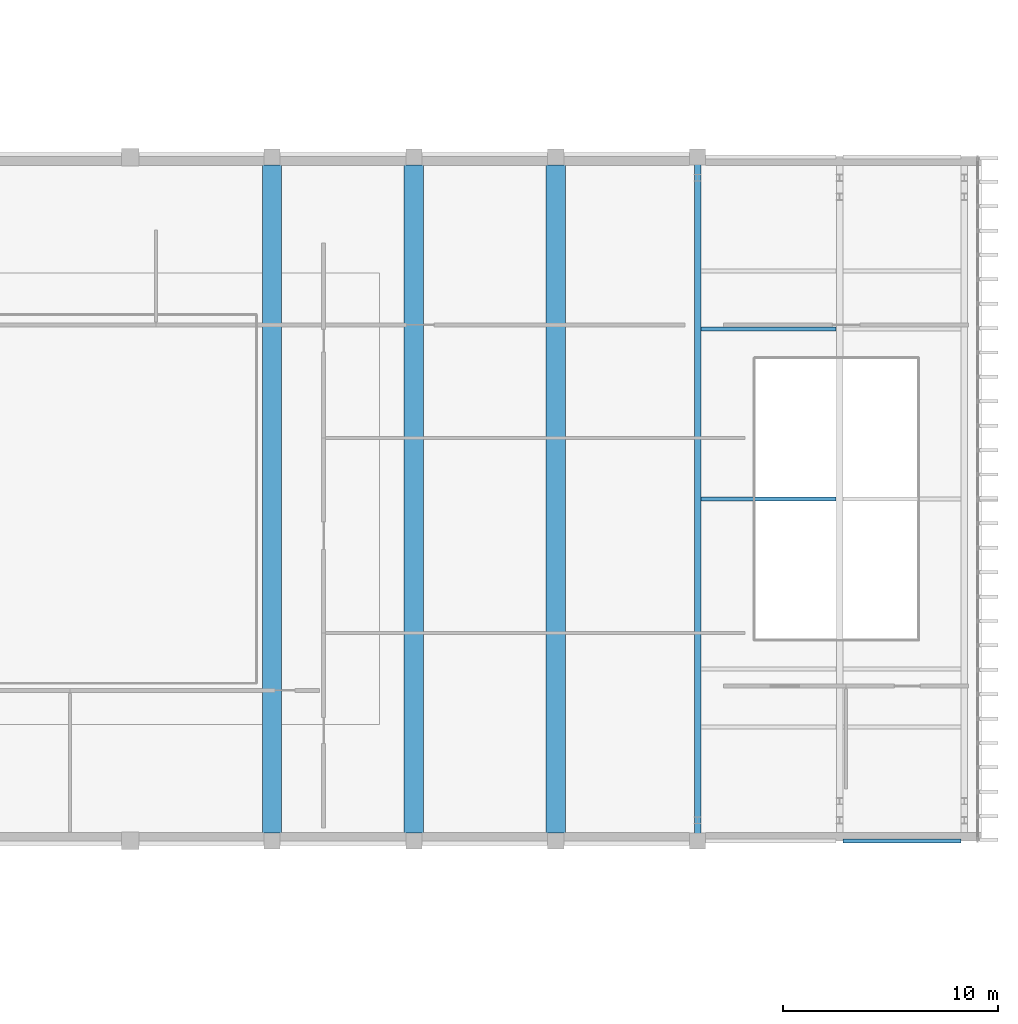
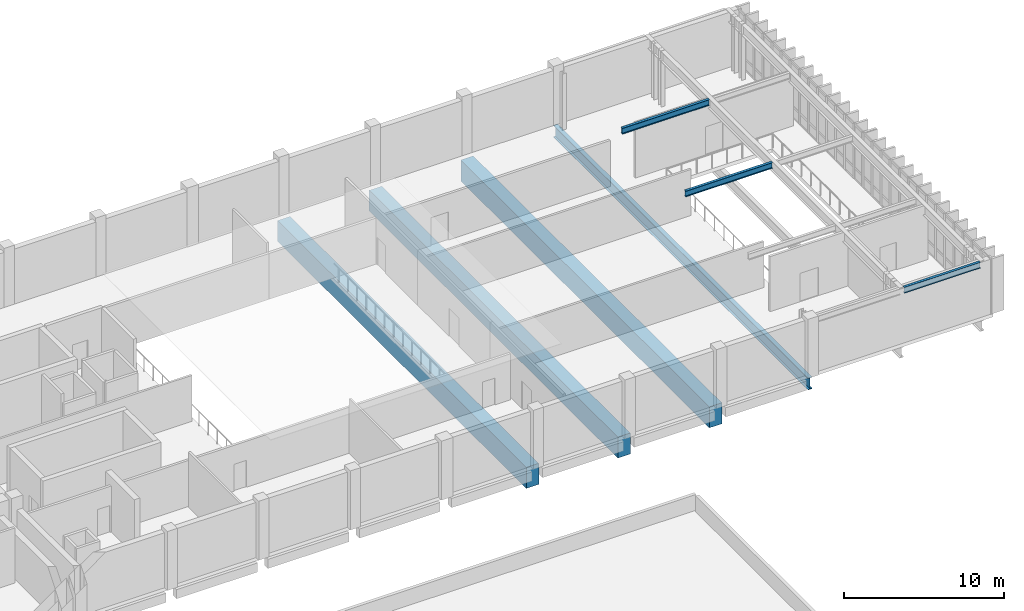
# One storey, part 4 of 23: 7 beams.
"""IFC4 building model written with IfcOpenShell, lengths in metres."""

from ifc_helpers import new_model, si_unit, direction, frame, origin, origin_2d, place, context, subcontext, project, spatial, rectangle, i_section, extrude, material, material_profile, profile_set, type_object, element, save


model = new_model("IFC4")

# Units and contexts
model_context = context("Model", 3, precision=1e-05, world=origin(), true_north=direction((0.0, 1.0)))
body_context = subcontext(model_context, "Body", "Model", "MODEL_VIEW")
ifc_project = project(units=[si_unit("LENGTHUNIT", "METRE"), si_unit("AREAUNIT", "SQUARE_METRE"), si_unit("VOLUMEUNIT", "CUBIC_METRE"), si_unit("PLANEANGLEUNIT", "RADIAN"), si_unit("MASSUNIT", "GRAM", prefix="KILO")], contexts=[model_context])

# Site, building, storey
site_placement = place(None, origin())
site = spatial("IfcSite", under=ifc_project, at=site_placement, CompositionType="ELEMENT")
building_placement = place(site_placement, origin())
building = spatial("IfcBuilding", under=site, at=building_placement, Name="Kelarvand Opera House", CompositionType="ELEMENT")
storey_placement = place(building_placement, frame((0.0, 0.0, 19.5)))
storey = spatial("IfcBuildingStorey", under=building, at=storey_placement, Name="L04", CompositionType="ELEMENT", Elevation=19.5)

# Beams
ifc_material_1 = material(Name="Steel S355", Category="steel")
ifc_material_profile_1 = material_profile(ifc_material_1, i_section(OverallWidth=0.300048828125, OverallDepth=0.89990234375, WebThickness=0.0185546875, FlangeThickness=0.034912109375, at=origin_2d()), Name="HEB 900", Category="steel")
ifc_profile_set_1 = profile_set([ifc_material_profile_1], Name="Steel S355")
beam_type_1 = type_object("IfcBeamType", Name="Structural Beam HEB 900 BM-HEB900", PredefinedType="BEAM", material=ifc_profile_set_1)
beam_1_placement = place(storey_placement, frame((141.800048828125, 46.60009765625, -0.72998046875), z_axis=(0.0, 1.0, 0.0), x_axis=(-1.0, 0.0, 0.0)))
element("IfcBeam", 1, at=beam_1_placement, inside=storey, type_object=beam_type_1, Name="Cantilever Transverse Girder L04 at X=141.8", PredefinedType="BEAM", context=body_context, shape_type="SweptSolid", body=[
    extrude(i_section(OverallWidth=0.300048828125, OverallDepth=0.89990234375, WebThickness=0.0185546875, FlangeThickness=0.034912109375, at=origin_2d()), origin(), (0.0, 0.0, 1.0), 31.7998046875),
])
ifc_material_2 = material(Name="Concrete C40/50", Category="concrete")
ifc_material_profile_2 = material_profile(ifc_material_2, rectangle(XDim=0.89990234375, YDim=1.60009765625, at=origin_2d()), Name="RC 900x1600", Category="concrete")
ifc_profile_set_2 = profile_set([ifc_material_profile_2], Name="Concrete C40/50")
beam_type_2 = type_object("IfcBeamType", Name="Structural Beam RC 900x1600 BM-RC900x1600", PredefinedType="BEAM", material=ifc_profile_set_2)
for number, where, z_axis, x_axis, name in (
    (2, (122.0, 46.97509765625, -1.080078125), (0.0, 1.0, 0.0), (-1.0, 0.0, 0.0), "V1 L04 Beam BM-RC900x1600"),
    (3, (128.60009765625, 46.97509765625, -1.080078125), (0.0, 1.0, 0.0), (-1.0, 0.0, 0.0), "V1 L04 Beam BM-RC900x1600"),
    (4, (135.199951171875, 46.97509765625, -1.080078125), (0.0, 1.0, 0.0), (-1.0, 0.0, 0.0), "V1 L04 Beam BM-RC900x1600"),
):
    element("IfcBeam", number, at=place(storey_placement, frame(where, z_axis=z_axis, x_axis=x_axis)), inside=storey, type_object=beam_type_2, Name=name, PredefinedType="BEAM", context=body_context, shape_type="SweptSolid", body=[
        extrude(rectangle(XDim=0.89990234375, YDim=1.60009765625, at=origin_2d()), origin(), (0.0, 0.0, 1.0), 31.0498046875),
    ])
ifc_material_profile_3 = material_profile(ifc_material_1, i_section(OverallWidth=0.18994140625, OverallDepth=0.449951171875, WebThickness=0.009521484375, FlangeThickness=0.0146484375, at=origin_2d()), Name="IPE 450", Category="steel")
ifc_profile_set_3 = profile_set([ifc_material_profile_3], Name="Steel S355")
beam_type_3 = type_object("IfcBeamType", Name="Structural Joist IPE 450 JS-IPE450", PredefinedType="JOIST", material=ifc_profile_set_3)
for number, where, z_axis, x_axis, name in (
    (5, (141.9599609375, 62.5, 4.054931640625), (1.0, 0.0, 0.0), (0.0, 1.0, 0.0), "V1 L04 Beam JS-IPE450"),
    (6, (141.9599609375, 70.39990234375, 4.054931640625), (1.0, 0.0, 0.0), (0.0, 1.0, 0.0), "V1 L04 Beam JS-IPE450"),
):
    element("IfcBeam", number, at=place(storey_placement, frame(where, z_axis=z_axis, x_axis=x_axis)), inside=storey, type_object=beam_type_3, Name=name, PredefinedType="JOIST", context=body_context, shape_type="SweptSolid", body=[
        extrude(i_section(OverallWidth=0.18994140625, OverallDepth=0.449951171875, WebThickness=0.009521484375, FlangeThickness=0.0146484375, at=origin_2d()), origin(), (0.0, 0.0, 1.0), 6.280029296875),
    ])
beam_2_placement = place(storey_placement, frame((148.56005859375, 46.60009765625, 4.054931640625), z_axis=(1.0, 0.0, 0.0), x_axis=(0.0, 1.0, 0.0)))
element("IfcBeam", 7, at=beam_2_placement, inside=storey, type_object=beam_type_3, Name="V1 L04 Beam JS-IPE450", PredefinedType="JOIST", context=body_context, shape_type="SweptSolid", body=[
    extrude(i_section(OverallWidth=0.18994140625, OverallDepth=0.449951171875, WebThickness=0.009521484375, FlangeThickness=0.0146484375, at=origin_2d()), origin(), (0.0, 0.0, 1.0), 5.47998046875),
])

save(model, "model.ifc")
